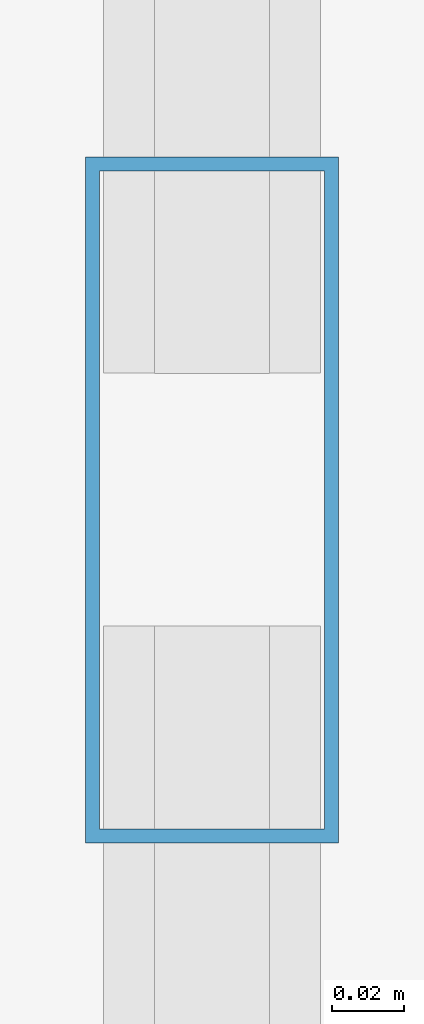
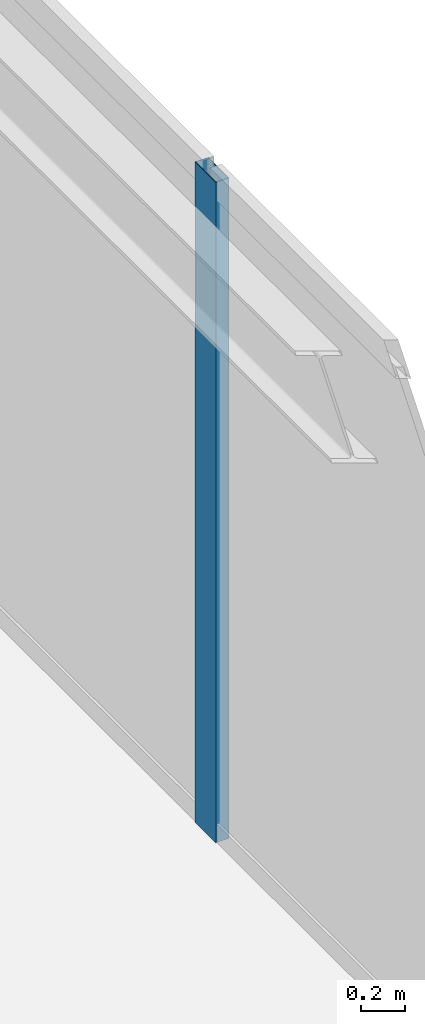
# One storey, part 20 of 32: 1 member, 1 element without a shape of its own.
"""IFC4 building model written with IfcOpenShell, lengths in metres."""

from ifc_helpers import new_model, si_unit, direction, frame, origin, origin_2d, place, context, subcontext, project, spatial, hollow_rectangle, extrude, source, transform, mapped, material, layer, layer_set, material_profile, profile_set, type_object, type_shapes, element, aggregate, save


model = new_model("IFC4")

# Units and contexts
model_context = context("Model", 3, precision=1e-05, world=origin(), true_north=direction((0.0, 1.0)))
body_context = subcontext(model_context, "Body", "Model", "MODEL_VIEW")
ifc_project = project(units=[si_unit("LENGTHUNIT", "METRE"), si_unit("AREAUNIT", "SQUARE_METRE"), si_unit("VOLUMEUNIT", "CUBIC_METRE"), si_unit("PLANEANGLEUNIT", "RADIAN"), si_unit("MASSUNIT", "GRAM", prefix="KILO")], contexts=[model_context])

# Site, building, storey
site_placement = place(None, origin())
site = spatial("IfcSite", under=ifc_project, at=site_placement, CompositionType="ELEMENT")
building_placement = place(site_placement, origin())
building = spatial("IfcBuilding", under=site, at=building_placement, Name="Varnel Quay Broadcast Tower", CompositionType="ELEMENT")
storey_placement = place(building_placement, frame((0.0, 0.0, 70.5)))
storey = spatial("IfcBuildingStorey", under=building, at=storey_placement, Name="L16", CompositionType="ELEMENT", Elevation=70.5)

# Curtain wall, member
ifc_material = material(Name="Anodised Bronze Aluminium 6063-T6", Category="aluminium")
ifc_layer = layer(ifc_material, 0.18994140625, Name="Anodised Bronze Aluminium 6063-T6")
ifc_layer_set = layer_set([ifc_layer], Name="Anodised Bronze Aluminium 6063-T6")
curtain_wall_type = type_object("IfcCurtainWallType", Name="CW_LowerTower", PredefinedType="NOTDEFINED", material=ifc_layer_set)
curtain_wall_placement = place(storey_placement, origin())
curtain_wall = element("IfcCurtainWall", 1, at=curtain_wall_placement, inside=storey, type_object=curtain_wall_type, Name="L16 East Unitised Curtain Wall", PredefinedType="NOTDEFINED")
ifc_material_profile = material_profile(ifc_material, hollow_rectangle(XDim=0.070068359375, YDim=0.18994140625, WallThickness=0.00390625, at=origin_2d()), Name="ALU70X190X4")
ifc_profile_set = profile_set([ifc_material_profile], Name="Anodised Bronze Aluminium 6063-T6")
member_type = type_object("IfcMemberType", Name="Mull_CWS-02", PredefinedType="MULLION", material=ifc_profile_set)
shared_shape = source(origin(), body_context, "Body", "SweptSolid", [
    extrude(hollow_rectangle(XDim=0.070068359375, YDim=0.18994140625, WallThickness=0.00390625, at=origin_2d()), origin(), (0.0, 0.0, 1.0), 3.64990234375),
])
type_shapes(member_type, [shared_shape])
member_placement = place(storey_placement, frame((65.85009765625, 30.39990234375, 0.0), z_axis=(0.0, 0.0, 1.0), x_axis=(-1.0, 0.0, 0.0)))
member = element("IfcMember", 2, at=member_placement, type_object=member_type, Name="CWS-02 mullion 3", PredefinedType="MULLION", context=body_context, shape_type="MappedRepresentation", body=[
    mapped(shared_shape, transform((0.0, 0.0, 0.0), x_axis=(1.0, 0.0, 0.0), y_axis=(0.0, 1.0, 0.0), z_axis=(0.0, 0.0, 1.0), scale=1.0)),
])
aggregate(curtain_wall, [member])

save(model, "model.ifc")
